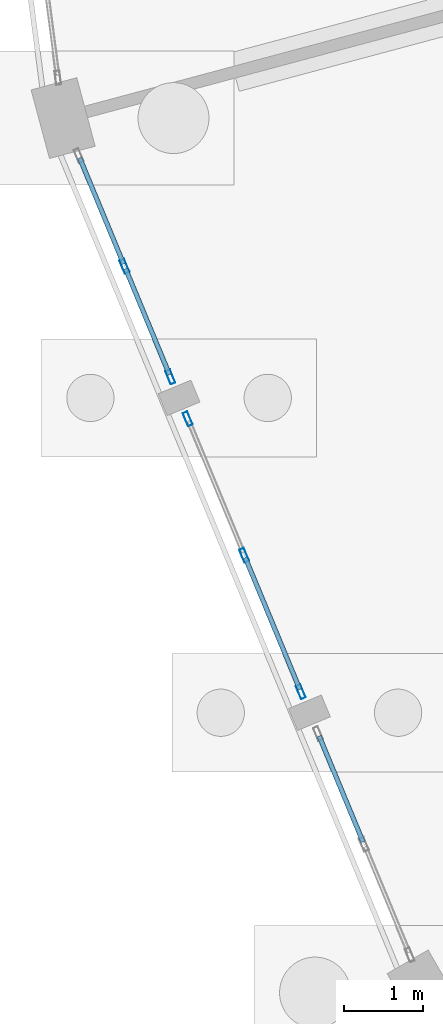
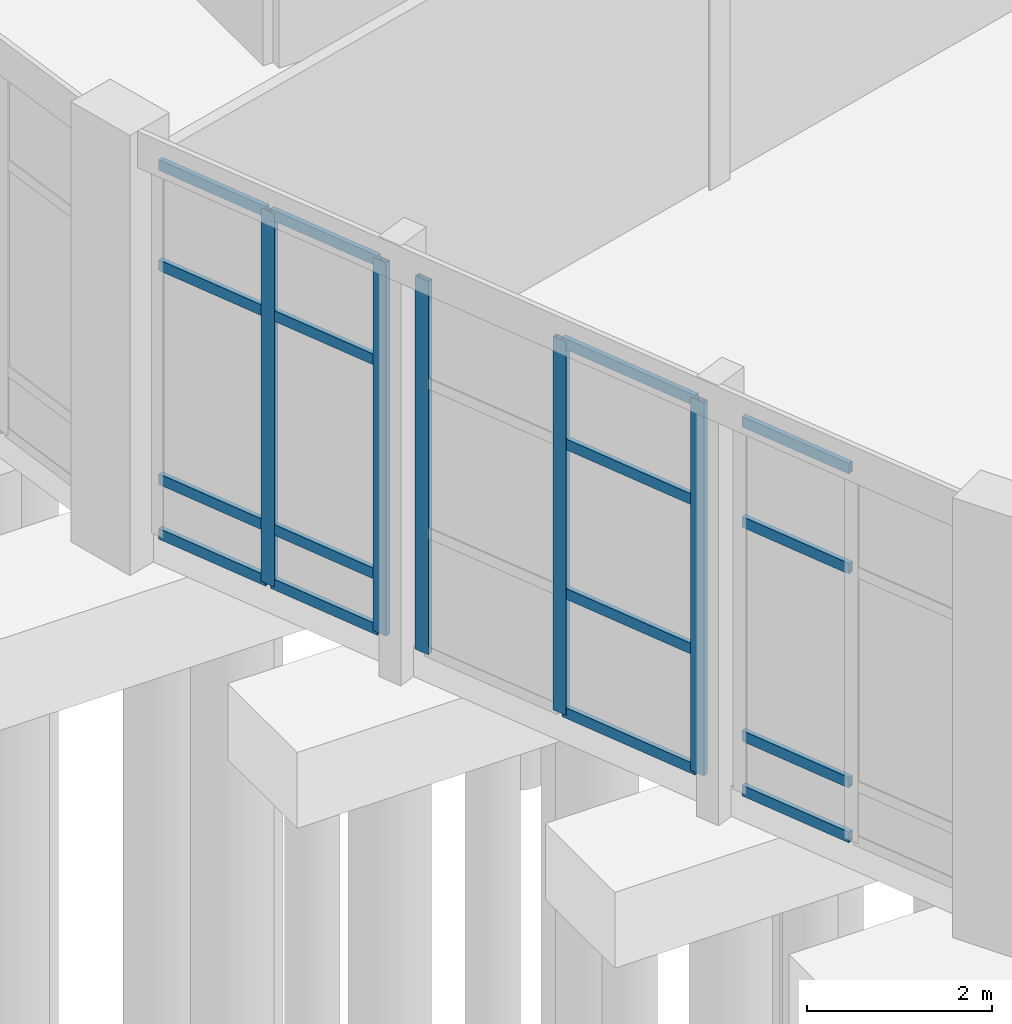
# One storey, part 31 of 137: 21 members, 3 elements without a shape of their own.
"""IFC4 building model written with IfcOpenShell, lengths in metres."""

import ifcopenshell
import ifcopenshell.guid

model = None  # the IFC model being written
_history = None  # IfcOwnerHistory: only IFC2X3 demands one
_inside = {}  # id of a spatial element -> (the spatial element, [elements in it])
_under = {}  # id of a project, library or spatial element -> (it, [spatial elements below it])
_declared = {}  # id of a project -> (the project, [libraries it declares])
_typed = {}  # id of a type object -> (the type object, [elements of that type])
_made_of = {}  # id of a material, layer set ... -> (it, [elements and type objects made of it])


def new_model(schema):
    """Start an empty IFC model of exactly this schema.

    Asked for "IFC4X3", IfcOpenShell would pick the latest addendum, in which some entities
    have other attributes; the version numbers below select the first issue.
    IFC2X3 requires an IfcOwnerHistory on every rooted entity: one is made here for all.
    """
    global model, _history
    if schema == "IFC4X3":
        model = ifcopenshell.file(schema_version=(4, 3, 0, 0))
    else:
        model = ifcopenshell.file(schema=schema)
    _inside.clear()
    _under.clear()
    _declared.clear()
    _typed.clear()
    _made_of.clear()
    _history = None
    if model.schema == "IFC2X3":
        org = make("IfcOrganization", Name="unknown")
        user = make(
            "IfcPersonAndOrganization",
            ThePerson=make("IfcPerson", FamilyName="unknown"),
            TheOrganization=org,
        )
        app = make(
            "IfcApplication",
            ApplicationDeveloper=org,
            Version="unknown",
            ApplicationFullName="unknown",
            ApplicationIdentifier="unknown",
        )
        _history = make(
            "IfcOwnerHistory",
            OwningUser=user,
            OwningApplication=app,
            ChangeAction="ADDED",
            CreationDate=0,
        )
    return model


def make(cls, **values):
    """One entity of the class cls with the attributes given. An attribute that is None is left unset."""
    return model.create_entity(
        cls, **{name: value for name, value in values.items() if value is not None}
    )


def rooted(cls, **values):
    """An entity with a GlobalId (a new one), such as an element, a storey or a relation."""
    return make(cls, GlobalId=ifcopenshell.guid.new(), OwnerHistory=_history, **values)


def si_unit(unit_type, name, prefix=None):
    """IfcSIUnit, for example si_unit("LENGTHUNIT", "METRE", prefix="MILLI")."""
    return make("IfcSIUnit", UnitType=unit_type, Prefix=prefix, Name=name)


def assignment(units):
    """IfcUnitAssignment: the units of a project."""
    return None if units is None else make("IfcUnitAssignment", Units=units)


def point(xyz):
    """IfcCartesianPoint."""
    return None if xyz is None else make("IfcCartesianPoint", Coordinates=xyz)


def direction(xyz):
    """IfcDirection."""
    return None if xyz is None else make("IfcDirection", DirectionRatios=xyz)


def frame(location, z_axis=None, x_axis=None):
    """IfcAxis2Placement3D, a coordinate frame: its origin and axes. An axis left out is left unset."""
    return make(
        "IfcAxis2Placement3D",
        Location=point(location),
        Axis=direction(z_axis),
        RefDirection=direction(x_axis),
    )


def frame_2d(location, x_axis=None):
    """IfcAxis2Placement2D, a coordinate frame in the plane: its origin and x axis."""
    return make(
        "IfcAxis2Placement2D", Location=point(location), RefDirection=direction(x_axis)
    )


def origin():
    """The frame at (0, 0, 0) with its axes left unset."""
    return frame((0.0, 0.0, 0.0))


def origin_2d():
    """The frame at (0, 0) in the plane with its x axis left unset."""
    return frame_2d((0.0, 0.0))


def place(relative_to, where):
    """IfcLocalPlacement: puts the frame where relative to a parent placement (None: the world)."""
    return make(
        "IfcLocalPlacement", PlacementRelTo=relative_to, RelativePlacement=where
    )


def context(
    kind, dimensions, precision=None, world=None, true_north=None, identifier=None
):
    """IfcGeometricRepresentationContext, for example the 3D "Model" context."""
    return make(
        "IfcGeometricRepresentationContext",
        ContextIdentifier=identifier,
        ContextType=kind,
        CoordinateSpaceDimension=dimensions,
        Precision=precision,
        WorldCoordinateSystem=world,
        TrueNorth=true_north,
    )


def subcontext(parent, identifier, kind, view, scale=None):
    """IfcGeometricRepresentationSubContext, for example "Body" below "Model"."""
    return make(
        "IfcGeometricRepresentationSubContext",
        ContextIdentifier=identifier,
        ContextType=kind,
        ParentContext=parent,
        TargetScale=scale,
        TargetView=view,
    )


def project(units=None, contexts=None):
    """IfcProject with its units and contexts."""
    return rooted(
        "IfcProject",
        Name="project",
        RepresentationContexts=contexts,
        UnitsInContext=assignment(units),
    )


def spatial(cls, under=None, at=None, **own):
    """A site, building, storey or space (cls), placed at a placement, below another one or the project."""
    s = rooted(cls, ObjectPlacement=at, **own)
    if under is not None:
        _under.setdefault(under.id(), (under, []))[1].append(s)
    return s


def profile(cls, at=None, kind="AREA", **sizes):
    """A parametric profile (cls). Its sizes go by their IFC names, for example OverallWidth=200.0."""
    return make(cls, ProfileType=kind, Position=at, **sizes)


def hollow_rectangle(**sizes):
    """IfcRectangleHollowProfileDef."""
    return profile("IfcRectangleHollowProfileDef", **sizes)


def extrude(swept, where, along, depth):
    """IfcExtrudedAreaSolid: the profile swept, set in the frame where, extruded along a direction by depth."""
    return make(
        "IfcExtrudedAreaSolid",
        SweptArea=swept,
        Position=where,
        ExtrudedDirection=direction(along),
        Depth=depth,
    )


def shape(context_of_items, identifier, shape_type, items):
    """IfcShapeRepresentation: the items that make up one representation, for example the "Body"."""
    return make(
        "IfcShapeRepresentation",
        ContextOfItems=context_of_items,
        RepresentationIdentifier=identifier,
        RepresentationType=shape_type,
        Items=items,
    )


def material(Name=None, Category=None):
    """IfcMaterial."""
    return make("IfcMaterial", Name=Name, Category=Category)


def material_profile(
    of_material, cross_section, Name=None, Category=None, Priority=None
):
    """IfcMaterialProfile: a cross section and its material."""
    return make(
        "IfcMaterialProfile",
        Name=Name,
        Material=of_material,
        Profile=cross_section,
        Priority=Priority,
        Category=Category,
    )


def profile_set(profiles, Name=None, composite=None):
    """IfcMaterialProfileSet."""
    return make(
        "IfcMaterialProfileSet",
        Name=Name,
        MaterialProfiles=profiles,
        CompositeProfile=composite,
    )


def made_of(thing, what):
    """Note that an element or type object is made of a material, layer set ...; save() writes the relation."""
    if what is not None:
        _made_of.setdefault(what.id(), (what, []))[1].append(thing)
    return thing


def type_object(cls, material=None, **own):
    """A type object (cls), such as IfcWallType, which elements share."""
    return made_of(rooted(cls, **own), material)


def element(
    cls,
    number,
    at=None,
    inside=None,
    cuts=None,
    type_object=None,
    material=None,
    context=None,
    identifier="Body",
    shape_type=None,
    held_by="IfcProductDefinitionShape",
    body=None,
    shapes=None,
    **own,
):
    """One element of the class cls, such as IfcWall. Its Tag is "e" and its number.

    at: its placement. inside: the storey or other place that contains it. cuts: it is an
    opening in that element (IfcRelVoidsElement). A single representation is given by context,
    identifier, shape_type and body (its items); several are given by shapes. held_by: the class
    of the entity that holds the representations. save() writes the other relations.
    """
    e = rooted(cls, Tag="e%d" % number, ObjectPlacement=at, **own)
    if body is not None:
        shapes = [shape(context, identifier, shape_type, body)]
    if shapes is not None:
        e.Representation = make(held_by, Representations=shapes)
    if inside is not None:
        _inside.setdefault(inside.id(), (inside, []))[1].append(e)
    if cuts is not None:
        rooted(
            "IfcRelVoidsElement", RelatingBuildingElement=cuts, RelatedOpeningElement=e
        )
    if type_object is not None:
        _typed.setdefault(type_object.id(), (type_object, []))[1].append(e)
    return made_of(e, material)


def aggregate(whole, parts):
    """IfcRelAggregates: a whole, such as a stair, and the parts it consists of."""
    return rooted("IfcRelAggregates", RelatingObject=whole, RelatedObjects=parts)


def save(model, path):
    """Write the relations noted so far, then the file.

    IfcRelAggregates (storeys below a building ...), IfcRelContainedInSpatialStructure (elements
    in a storey), IfcRelDefinesByType, IfcRelAssociatesMaterial and IfcRelDeclares: one each for
    every whole, place, type object, material and project.
    """
    for whole, parts in _under.values():
        aggregate(whole, parts)
    for where, things in _inside.values():
        rooted(
            "IfcRelContainedInSpatialStructure",
            RelatedElements=things,
            RelatingStructure=where,
        )
    for kind, things in _typed.values():
        rooted("IfcRelDefinesByType", RelatedObjects=things, RelatingType=kind)
    for what, things in _made_of.values():
        rooted("IfcRelAssociatesMaterial", RelatedObjects=things, RelatingMaterial=what)
    for by, libraries in _declared.values():
        rooted("IfcRelDeclares", RelatingContext=by, RelatedDefinitions=libraries)
    model.write(path)


model = new_model("IFC4")

# Units and contexts
model_context = context("Model", 3, precision=1e-05, world=origin(), true_north=direction((0.0, 1.0)))
body_context = subcontext(model_context, "Body", "Model", "MODEL_VIEW")
ifc_project = project(units=[si_unit("LENGTHUNIT", "METRE"), si_unit("AREAUNIT", "SQUARE_METRE"), si_unit("VOLUMEUNIT", "CUBIC_METRE"), si_unit("PLANEANGLEUNIT", "RADIAN"), si_unit("MASSUNIT", "GRAM", prefix="KILO")], contexts=[model_context])

# Site, building, storey
site_placement = place(None, origin())
site = spatial("IfcSite", under=ifc_project, at=site_placement, CompositionType="ELEMENT")
building_placement = place(site_placement, origin())
building = spatial("IfcBuilding", under=site, at=building_placement, Name="Vondelvale Polytechnic", CompositionType="ELEMENT")
storey_placement = place(building_placement, origin())
storey = spatial("IfcBuildingStorey", under=building, at=storey_placement, Name="L00", CompositionType="ELEMENT", Elevation=0.0)

# Curtain wall, members
ifc_material_1 = material(Name="Glulam GL18 structural Tasmanian oak (fb = 42 MPa)", Category="wood")
curtain_wall_type = type_object("IfcCurtainWallType", Name="CW-RING-OUTER", PredefinedType="NOTDEFINED", material=ifc_material_1)
curtain_wall_1_placement = place(storey_placement, origin())
curtain_wall_1 = element("IfcCurtainWall", 1, at=curtain_wall_1_placement, inside=storey, type_object=curtain_wall_type, Name="L00 architectural curtain wall CW-04-276", PredefinedType="NOTDEFINED")
ifc_material_2 = material(Name="Anodised extruded aluminium 6063-T6", Category="aluminium")
ifc_material_profile_1 = material_profile(ifc_material_2, hollow_rectangle(XDim=0.06494140625, YDim=0.179931640625, WallThickness=0.00390625, at=origin_2d()), Name="CW-MUL-180x65")
ifc_profile_set_1 = profile_set([ifc_material_profile_1], Name="Anodised extruded aluminium 6063-T6")
member_type_1 = type_object("IfcMemberType", Name="CW-MUL-65x180", PredefinedType="MULLION", material=ifc_profile_set_1)
member_1_placement = place(storey_placement, frame((58.346435546875, 58.21337890625, 0.0), z_axis=(0.0, 0.0, 1.0), x_axis=(0.92388135159, 0.382679040691, 0.0)))
member_1 = element("IfcMember", 2, at=member_1_placement, type_object=member_type_1, Name="CW-04-276 mullion 2", PredefinedType="MULLION", context=body_context, shape_type="SweptSolid", body=[
    extrude(hollow_rectangle(XDim=0.06494140625, YDim=0.179931640625, WallThickness=0.00390625, at=origin_2d()), origin(), (0.0, 0.0, 1.0), 4.919921875),
])
member_2_placement = place(storey_placement, frame((58.927978515625, 56.809814453125, 0.0), z_axis=(0.0, 0.0, 1.0), x_axis=(0.92388135159, 0.382679040691, 0.0)))
member_2 = element("IfcMember", 3, at=member_2_placement, type_object=member_type_1, Name="CW-04-276 mullion 3", PredefinedType="MULLION", context=body_context, shape_type="SweptSolid", body=[
    extrude(hollow_rectangle(XDim=0.06494140625, YDim=0.179931640625, WallThickness=0.00390625, at=origin_2d()), origin(), (0.0, 0.0, 1.0), 4.919921875),
])

curtain_wall_2_placement = place(storey_placement, origin())
curtain_wall_2 = element("IfcCurtainWall", 4, at=curtain_wall_2_placement, inside=storey, type_object=curtain_wall_type, Name="L00 architectural curtain wall CW-04-277", PredefinedType="NOTDEFINED")
member_3_placement = place(storey_placement, frame((59.14794921875, 56.278564453125, 0.0), z_axis=(0.0, 0.0, 1.0), x_axis=(0.92387490701, 0.382694599123, 0.0)))
member_3 = element("IfcMember", 5, at=member_3_placement, type_object=member_type_1, Name="CW-04-277 mullion 1", PredefinedType="MULLION", context=body_context, shape_type="SweptSolid", body=[
    extrude(hollow_rectangle(XDim=0.06494140625, YDim=0.179931640625, WallThickness=0.00390625, at=origin_2d()), origin(), (0.0, 0.0, 1.0), 4.919921875),
])
member_4_placement = place(storey_placement, frame((59.864990234375, 54.547119140625, 0.0), z_axis=(0.0, 0.0, 1.0), x_axis=(0.92387490701, 0.382694599123, 0.0)))
member_4 = element("IfcMember", 6, at=member_4_placement, type_object=member_type_1, Name="CW-04-277 mullion 2", PredefinedType="MULLION", context=body_context, shape_type="SweptSolid", body=[
    extrude(hollow_rectangle(XDim=0.06494140625, YDim=0.179931640625, WallThickness=0.00390625, at=origin_2d()), origin(), (0.0, 0.0, 1.0), 4.919921875),
])
member_5_placement = place(storey_placement, frame((60.582275390625, 52.81591796875, 0.0), z_axis=(0.0, 0.0, 1.0), x_axis=(0.92387490701, 0.382694599123, 0.0)))
member_5 = element("IfcMember", 7, at=member_5_placement, type_object=member_type_1, Name="CW-04-277 mullion 3", PredefinedType="MULLION", context=body_context, shape_type="SweptSolid", body=[
    extrude(hollow_rectangle(XDim=0.06494140625, YDim=0.179931640625, WallThickness=0.00390625, at=origin_2d()), origin(), (0.0, 0.0, 1.0), 4.919921875),
])

# Member
ifc_material_profile_2 = material_profile(ifc_material_2, hollow_rectangle(XDim=0.06005859375, YDim=0.139892578125, WallThickness=0.00341796875, at=origin_2d()), Name="CW-TRN-140x60")
ifc_profile_set_2 = profile_set([ifc_material_profile_2], Name="Anodised extruded aluminium 6063-T6")
member_type_2 = type_object("IfcMemberType", Name="CW-TRN-60x140", PredefinedType="USERDEFINED", material=ifc_profile_set_2)
member_6_placement = place(storey_placement, frame((57.777587890625, 59.587158203125, 0.030029296875), z_axis=(0.382564297979, -0.923928870591, 0.0), x_axis=(0.923928870591, 0.382564297979, 0.0)))
member_6 = element("IfcMember", 8, at=member_6_placement, type_object=member_type_2, Name="CW-04-276 transom 1.1", ObjectType="TRANSOM", PredefinedType="USERDEFINED", context=body_context, shape_type="SweptSolid", body=[
    extrude(hollow_rectangle(XDim=0.06005859375, YDim=0.139892578125, WallThickness=0.00341796875, at=origin_2d()), origin(), (0.0, 0.0, 1.0), 1.454345703125),
])

member_7_placement = place(storey_placement, frame((57.777587890625, 59.587158203125, 0.75), z_axis=(0.382564297979, -0.923928870591, 0.0), x_axis=(0.923928870591, 0.382564297979, 0.0)))
member_7 = element("IfcMember", 9, at=member_7_placement, type_object=member_type_2, Name="CW-04-276 transom 1.2", ObjectType="TRANSOM", PredefinedType="USERDEFINED", context=body_context, shape_type="SweptSolid", body=[
    extrude(hollow_rectangle(XDim=0.06005859375, YDim=0.139892578125, WallThickness=0.00341796875, at=origin_2d()), origin(), (0.0, 0.0, 1.0), 1.454345703125),
])

member_8_placement = place(storey_placement, frame((57.777587890625, 59.587158203125, 3.570068359375), z_axis=(0.382564297979, -0.923928870591, 0.0), x_axis=(0.923928870591, 0.382564297979, 0.0)))
member_8 = element("IfcMember", 10, at=member_8_placement, type_object=member_type_2, Name="CW-04-276 transom 1.3", ObjectType="TRANSOM", PredefinedType="USERDEFINED", context=body_context, shape_type="SweptSolid", body=[
    extrude(hollow_rectangle(XDim=0.06005859375, YDim=0.139892578125, WallThickness=0.00341796875, at=origin_2d()), origin(), (0.0, 0.0, 1.0), 1.454345703125),
])

member_9_placement = place(storey_placement, frame((57.777587890625, 59.587158203125, 4.889892578125), z_axis=(0.382564297979, -0.923928870591, 0.0), x_axis=(0.923928870591, 0.382564297979, 0.0)))
member_9 = element("IfcMember", 11, at=member_9_placement, type_object=member_type_2, Name="CW-04-276 transom 1.4", ObjectType="TRANSOM", PredefinedType="USERDEFINED", context=body_context, shape_type="SweptSolid", body=[
    extrude(hollow_rectangle(XDim=0.06005859375, YDim=0.139892578125, WallThickness=0.00341796875, at=origin_2d()), origin(), (0.0, 0.0, 1.0), 1.454345703125),
])

member_10_placement = place(storey_placement, frame((58.35888671875, 58.183349609375, 0.030029296875), z_axis=(0.382766938144, -0.923844938863, 0.0), x_axis=(0.923844938863, 0.382766938144, 0.0)))
member_10 = element("IfcMember", 12, at=member_10_placement, type_object=member_type_2, Name="CW-04-276 transom 2.1", ObjectType="TRANSOM", PredefinedType="USERDEFINED", context=body_context, shape_type="SweptSolid", body=[
    extrude(hollow_rectangle(XDim=0.06005859375, YDim=0.139892578125, WallThickness=0.00341796875, at=origin_2d()), origin(), (0.0, 0.0, 1.0), 1.454345703125),
])

member_11_placement = place(storey_placement, frame((58.35888671875, 58.183349609375, 0.75), z_axis=(0.382766938144, -0.923844938863, 0.0), x_axis=(0.923844938863, 0.382766938144, 0.0)))
member_11 = element("IfcMember", 13, at=member_11_placement, type_object=member_type_2, Name="CW-04-276 transom 2.2", ObjectType="TRANSOM", PredefinedType="USERDEFINED", context=body_context, shape_type="SweptSolid", body=[
    extrude(hollow_rectangle(XDim=0.06005859375, YDim=0.139892578125, WallThickness=0.00341796875, at=origin_2d()), origin(), (0.0, 0.0, 1.0), 1.454345703125),
])

member_12_placement = place(storey_placement, frame((58.35888671875, 58.183349609375, 3.570068359375), z_axis=(0.382766938144, -0.923844938863, 0.0), x_axis=(0.923844938863, 0.382766938144, 0.0)))
member_12 = element("IfcMember", 14, at=member_12_placement, type_object=member_type_2, Name="CW-04-276 transom 2.3", ObjectType="TRANSOM", PredefinedType="USERDEFINED", context=body_context, shape_type="SweptSolid", body=[
    extrude(hollow_rectangle(XDim=0.06005859375, YDim=0.139892578125, WallThickness=0.00341796875, at=origin_2d()), origin(), (0.0, 0.0, 1.0), 1.454345703125),
])

member_13_placement = place(storey_placement, frame((58.35888671875, 58.183349609375, 4.889892578125), z_axis=(0.382766938144, -0.923844938863, 0.0), x_axis=(0.923844938863, 0.382766938144, 0.0)))
member_13 = element("IfcMember", 15, at=member_13_placement, type_object=member_type_2, Name="CW-04-276 transom 2.4", ObjectType="TRANSOM", PredefinedType="USERDEFINED", context=body_context, shape_type="SweptSolid", body=[
    extrude(hollow_rectangle(XDim=0.06005859375, YDim=0.139892578125, WallThickness=0.00341796875, at=origin_2d()), origin(), (0.0, 0.0, 1.0), 1.454345703125),
])

aggregate(curtain_wall_1, [member_1, member_2, member_6, member_7, member_8, member_9, member_10, member_11, member_12, member_13])

member_14_placement = place(storey_placement, frame((59.87744140625, 54.51708984375, 0.030029296875), z_axis=(0.382765012338, -0.92384573676, 0.0), x_axis=(0.92384573676, 0.382765012338, 0.0)))
member_14 = element("IfcMember", 16, at=member_14_placement, type_object=member_type_2, Name="CW-04-277 transom 2.1", ObjectType="TRANSOM", PredefinedType="USERDEFINED", context=body_context, shape_type="SweptSolid", body=[
    extrude(hollow_rectangle(XDim=0.06005859375, YDim=0.139892578125, WallThickness=0.00341796875, at=origin_2d()), origin(), (0.0, 0.0, 1.0), 1.808837890625),
])

member_15_placement = place(storey_placement, frame((59.87744140625, 54.51708984375, 1.60009765625), z_axis=(0.382765012338, -0.92384573676, 0.0), x_axis=(0.92384573676, 0.382765012338, 0.0)))
member_15 = element("IfcMember", 17, at=member_15_placement, type_object=member_type_2, Name="CW-04-277 transom 2.2", ObjectType="TRANSOM", PredefinedType="USERDEFINED", context=body_context, shape_type="SweptSolid", body=[
    extrude(hollow_rectangle(XDim=0.06005859375, YDim=0.139892578125, WallThickness=0.00341796875, at=origin_2d()), origin(), (0.0, 0.0, 1.0), 1.808837890625),
])

member_16_placement = place(storey_placement, frame((59.87744140625, 54.51708984375, 3.570068359375), z_axis=(0.382765012338, -0.92384573676, 0.0), x_axis=(0.92384573676, 0.382765012338, 0.0)))
member_16 = element("IfcMember", 18, at=member_16_placement, type_object=member_type_2, Name="CW-04-277 transom 2.3", ObjectType="TRANSOM", PredefinedType="USERDEFINED", context=body_context, shape_type="SweptSolid", body=[
    extrude(hollow_rectangle(XDim=0.06005859375, YDim=0.139892578125, WallThickness=0.00341796875, at=origin_2d()), origin(), (0.0, 0.0, 1.0), 1.808837890625),
])

member_17_placement = place(storey_placement, frame((59.87744140625, 54.51708984375, 4.889892578125), z_axis=(0.382765012338, -0.92384573676, 0.0), x_axis=(0.92384573676, 0.382765012338, 0.0)))
member_17 = element("IfcMember", 19, at=member_17_placement, type_object=member_type_2, Name="CW-04-277 transom 2.4", ObjectType="TRANSOM", PredefinedType="USERDEFINED", context=body_context, shape_type="SweptSolid", body=[
    extrude(hollow_rectangle(XDim=0.06005859375, YDim=0.139892578125, WallThickness=0.00341796875, at=origin_2d()), origin(), (0.0, 0.0, 1.0), 1.808837890625),
])

aggregate(curtain_wall_2, [member_3, member_4, member_5, member_14, member_15, member_16, member_17])

# Curtain wall, members
curtain_wall_3_placement = place(storey_placement, origin())
curtain_wall_3 = element("IfcCurtainWall", 20, at=curtain_wall_3_placement, inside=storey, type_object=curtain_wall_type, Name="L00 architectural curtain wall CW-04-278", PredefinedType="NOTDEFINED")
member_18_placement = place(storey_placement, frame((60.814697265625, 52.254638671875, 0.030029296875), z_axis=(0.382707581205, -0.923869529365, 0.0), x_axis=(0.923869529365, 0.382707581205, 0.0)))
member_18 = element("IfcMember", 21, at=member_18_placement, type_object=member_type_2, Name="CW-04-278 transom 1.1", ObjectType="TRANSOM", PredefinedType="USERDEFINED", context=body_context, shape_type="SweptSolid", body=[
    extrude(hollow_rectangle(XDim=0.06005859375, YDim=0.139892578125, WallThickness=0.00341796875, at=origin_2d()), origin(), (0.0, 0.0, 1.0), 1.45458984375),
])
member_19_placement = place(storey_placement, frame((60.814697265625, 52.254638671875, 0.75), z_axis=(0.382707581205, -0.923869529365, 0.0), x_axis=(0.923869529365, 0.382707581205, 0.0)))
member_19 = element("IfcMember", 22, at=member_19_placement, type_object=member_type_2, Name="CW-04-278 transom 1.2", ObjectType="TRANSOM", PredefinedType="USERDEFINED", context=body_context, shape_type="SweptSolid", body=[
    extrude(hollow_rectangle(XDim=0.06005859375, YDim=0.139892578125, WallThickness=0.00341796875, at=origin_2d()), origin(), (0.0, 0.0, 1.0), 1.45458984375),
])
member_20_placement = place(storey_placement, frame((60.814697265625, 52.254638671875, 3.570068359375), z_axis=(0.382707581205, -0.923869529365, 0.0), x_axis=(0.923869529365, 0.382707581205, 0.0)))
member_20 = element("IfcMember", 23, at=member_20_placement, type_object=member_type_2, Name="CW-04-278 transom 1.3", ObjectType="TRANSOM", PredefinedType="USERDEFINED", context=body_context, shape_type="SweptSolid", body=[
    extrude(hollow_rectangle(XDim=0.06005859375, YDim=0.139892578125, WallThickness=0.00341796875, at=origin_2d()), origin(), (0.0, 0.0, 1.0), 1.45458984375),
])
member_21_placement = place(storey_placement, frame((60.814697265625, 52.254638671875, 4.889892578125), z_axis=(0.382707581205, -0.923869529365, 0.0), x_axis=(0.923869529365, 0.382707581205, 0.0)))
member_21 = element("IfcMember", 24, at=member_21_placement, type_object=member_type_2, Name="CW-04-278 transom 1.4", ObjectType="TRANSOM", PredefinedType="USERDEFINED", context=body_context, shape_type="SweptSolid", body=[
    extrude(hollow_rectangle(XDim=0.06005859375, YDim=0.139892578125, WallThickness=0.00341796875, at=origin_2d()), origin(), (0.0, 0.0, 1.0), 1.45458984375),
])
aggregate(curtain_wall_3, [member_18, member_19, member_20, member_21])

save(model, "model.ifc")
